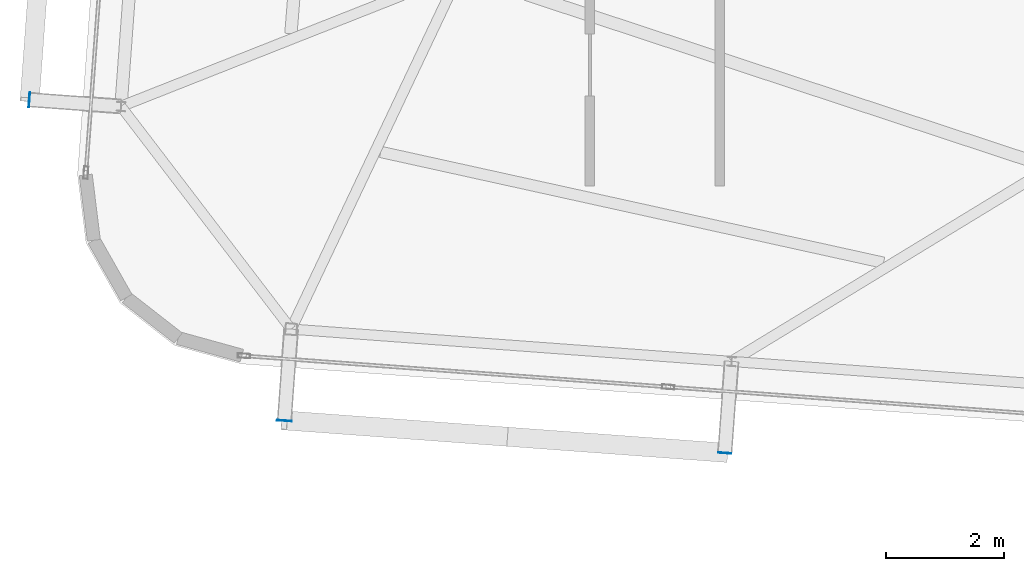
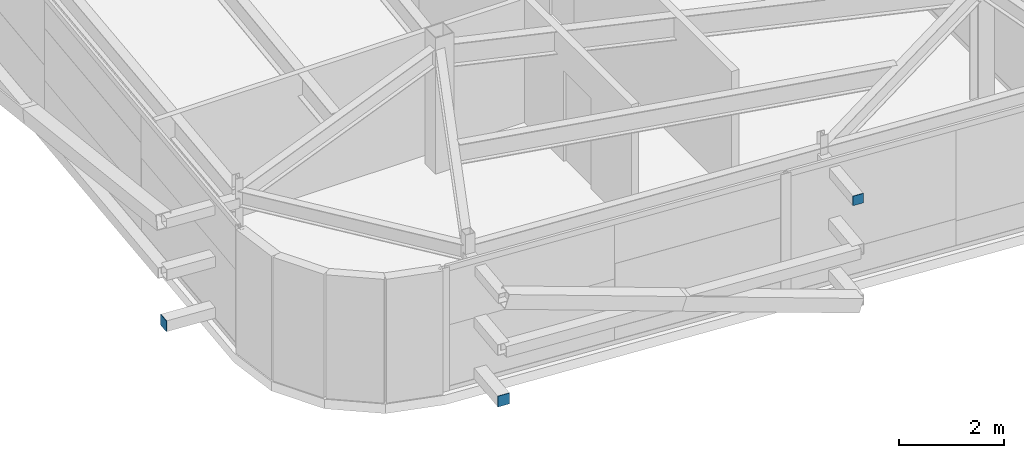
# One storey, part 29 of 40: 3 plates.
"""IFC4 building model written with IfcOpenShell, lengths in metres."""

import ifcopenshell
import ifcopenshell.guid

model = None  # the IFC model being written
_history = None  # IfcOwnerHistory: only IFC2X3 demands one
_inside = {}  # id of a spatial element -> (the spatial element, [elements in it])
_under = {}  # id of a project, library or spatial element -> (it, [spatial elements below it])
_declared = {}  # id of a project -> (the project, [libraries it declares])
_typed = {}  # id of a type object -> (the type object, [elements of that type])
_made_of = {}  # id of a material, layer set ... -> (it, [elements and type objects made of it])


def new_model(schema):
    """Start an empty IFC model of exactly this schema.

    Asked for "IFC4X3", IfcOpenShell would pick the latest addendum, in which some entities
    have other attributes; the version numbers below select the first issue.
    IFC2X3 requires an IfcOwnerHistory on every rooted entity: one is made here for all.
    """
    global model, _history
    if schema == "IFC4X3":
        model = ifcopenshell.file(schema_version=(4, 3, 0, 0))
    else:
        model = ifcopenshell.file(schema=schema)
    _inside.clear()
    _under.clear()
    _declared.clear()
    _typed.clear()
    _made_of.clear()
    _history = None
    if model.schema == "IFC2X3":
        org = make("IfcOrganization", Name="unknown")
        user = make(
            "IfcPersonAndOrganization",
            ThePerson=make("IfcPerson", FamilyName="unknown"),
            TheOrganization=org,
        )
        app = make(
            "IfcApplication",
            ApplicationDeveloper=org,
            Version="unknown",
            ApplicationFullName="unknown",
            ApplicationIdentifier="unknown",
        )
        _history = make(
            "IfcOwnerHistory",
            OwningUser=user,
            OwningApplication=app,
            ChangeAction="ADDED",
            CreationDate=0,
        )
    return model


def make(cls, **values):
    """One entity of the class cls with the attributes given. An attribute that is None is left unset."""
    return model.create_entity(
        cls, **{name: value for name, value in values.items() if value is not None}
    )


def rooted(cls, **values):
    """An entity with a GlobalId (a new one), such as an element, a storey or a relation."""
    return make(cls, GlobalId=ifcopenshell.guid.new(), OwnerHistory=_history, **values)


def si_unit(unit_type, name, prefix=None):
    """IfcSIUnit, for example si_unit("LENGTHUNIT", "METRE", prefix="MILLI")."""
    return make("IfcSIUnit", UnitType=unit_type, Prefix=prefix, Name=name)


def assignment(units):
    """IfcUnitAssignment: the units of a project."""
    return None if units is None else make("IfcUnitAssignment", Units=units)


def point(xyz):
    """IfcCartesianPoint."""
    return None if xyz is None else make("IfcCartesianPoint", Coordinates=xyz)


def direction(xyz):
    """IfcDirection."""
    return None if xyz is None else make("IfcDirection", DirectionRatios=xyz)


def frame(location, z_axis=None, x_axis=None):
    """IfcAxis2Placement3D, a coordinate frame: its origin and axes. An axis left out is left unset."""
    return make(
        "IfcAxis2Placement3D",
        Location=point(location),
        Axis=direction(z_axis),
        RefDirection=direction(x_axis),
    )


def frame_2d(location, x_axis=None):
    """IfcAxis2Placement2D, a coordinate frame in the plane: its origin and x axis."""
    return make(
        "IfcAxis2Placement2D", Location=point(location), RefDirection=direction(x_axis)
    )


def origin():
    """The frame at (0, 0, 0) with its axes left unset."""
    return frame((0.0, 0.0, 0.0))


def origin_2d():
    """The frame at (0, 0) in the plane with its x axis left unset."""
    return frame_2d((0.0, 0.0))


def place(relative_to, where):
    """IfcLocalPlacement: puts the frame where relative to a parent placement (None: the world)."""
    return make(
        "IfcLocalPlacement", PlacementRelTo=relative_to, RelativePlacement=where
    )


def context(
    kind, dimensions, precision=None, world=None, true_north=None, identifier=None
):
    """IfcGeometricRepresentationContext, for example the 3D "Model" context."""
    return make(
        "IfcGeometricRepresentationContext",
        ContextIdentifier=identifier,
        ContextType=kind,
        CoordinateSpaceDimension=dimensions,
        Precision=precision,
        WorldCoordinateSystem=world,
        TrueNorth=true_north,
    )


def subcontext(parent, identifier, kind, view, scale=None):
    """IfcGeometricRepresentationSubContext, for example "Body" below "Model"."""
    return make(
        "IfcGeometricRepresentationSubContext",
        ContextIdentifier=identifier,
        ContextType=kind,
        ParentContext=parent,
        TargetScale=scale,
        TargetView=view,
    )


def project(units=None, contexts=None):
    """IfcProject with its units and contexts."""
    return rooted(
        "IfcProject",
        Name="project",
        RepresentationContexts=contexts,
        UnitsInContext=assignment(units),
    )


def spatial(cls, under=None, at=None, **own):
    """A site, building, storey or space (cls), placed at a placement, below another one or the project."""
    s = rooted(cls, ObjectPlacement=at, **own)
    if under is not None:
        _under.setdefault(under.id(), (under, []))[1].append(s)
    return s


def profile(cls, at=None, kind="AREA", **sizes):
    """A parametric profile (cls). Its sizes go by their IFC names, for example OverallWidth=200.0."""
    return make(cls, ProfileType=kind, Position=at, **sizes)


def rectangle(**sizes):
    """IfcRectangleProfileDef."""
    return profile("IfcRectangleProfileDef", **sizes)


def extrude(swept, where, along, depth):
    """IfcExtrudedAreaSolid: the profile swept, set in the frame where, extruded along a direction by depth."""
    return make(
        "IfcExtrudedAreaSolid",
        SweptArea=swept,
        Position=where,
        ExtrudedDirection=direction(along),
        Depth=depth,
    )


def shape(context_of_items, identifier, shape_type, items):
    """IfcShapeRepresentation: the items that make up one representation, for example the "Body"."""
    return make(
        "IfcShapeRepresentation",
        ContextOfItems=context_of_items,
        RepresentationIdentifier=identifier,
        RepresentationType=shape_type,
        Items=items,
    )


def source(mapping_origin, context_of_items, identifier, shape_type, items):
    """IfcRepresentationMap: a shape defined once, which mapped items show again and again."""
    return make(
        "IfcRepresentationMap",
        MappingOrigin=mapping_origin,
        MappedRepresentation=shape(context_of_items, identifier, shape_type, items),
    )


def transform(
    local_origin,
    x_axis=None,
    y_axis=None,
    z_axis=None,
    scale=None,
    scale2=None,
    scale3=None,
    uniform=True,
):
    """IfcCartesianTransformationOperator3D, or its non-uniform kind. x_axis, y_axis, z_axis: its Axis1, 2, 3."""
    if uniform:
        return make(
            "IfcCartesianTransformationOperator3D",
            Axis1=direction(x_axis),
            Axis2=direction(y_axis),
            LocalOrigin=point(local_origin),
            Scale=scale,
            Axis3=direction(z_axis),
        )
    return make(
        "IfcCartesianTransformationOperator3DnonUniform",
        Axis1=direction(x_axis),
        Axis2=direction(y_axis),
        LocalOrigin=point(local_origin),
        Scale=scale,
        Axis3=direction(z_axis),
        Scale2=scale2,
        Scale3=scale3,
    )


def mapped(mapping_source, mapping_target):
    """IfcMappedItem: shows the shape of a source again, moved by a transform."""
    return make(
        "IfcMappedItem", MappingSource=mapping_source, MappingTarget=mapping_target
    )


def material(Name=None, Category=None):
    """IfcMaterial."""
    return make("IfcMaterial", Name=Name, Category=Category)


def layer(
    of_material, thickness, ventilated=None, Name=None, Category=None, Priority=None
):
    """IfcMaterialLayer: one layer of a wall or slab, of a material (None: an air gap)."""
    return make(
        "IfcMaterialLayer",
        Material=of_material,
        LayerThickness=thickness,
        IsVentilated=ventilated,
        Name=Name,
        Category=Category,
        Priority=Priority,
    )


def layer_set(layers, Name=None):
    """IfcMaterialLayerSet."""
    return make("IfcMaterialLayerSet", MaterialLayers=layers, LayerSetName=Name)


def made_of(thing, what):
    """Note that an element or type object is made of a material, layer set ...; save() writes the relation."""
    if what is not None:
        _made_of.setdefault(what.id(), (what, []))[1].append(thing)
    return thing


def type_object(cls, material=None, **own):
    """A type object (cls), such as IfcWallType, which elements share."""
    return made_of(rooted(cls, **own), material)


def element(
    cls,
    number,
    at=None,
    inside=None,
    cuts=None,
    type_object=None,
    material=None,
    context=None,
    identifier="Body",
    shape_type=None,
    held_by="IfcProductDefinitionShape",
    body=None,
    shapes=None,
    **own,
):
    """One element of the class cls, such as IfcWall. Its Tag is "e" and its number.

    at: its placement. inside: the storey or other place that contains it. cuts: it is an
    opening in that element (IfcRelVoidsElement). A single representation is given by context,
    identifier, shape_type and body (its items); several are given by shapes. held_by: the class
    of the entity that holds the representations. save() writes the other relations.
    """
    e = rooted(cls, Tag="e%d" % number, ObjectPlacement=at, **own)
    if body is not None:
        shapes = [shape(context, identifier, shape_type, body)]
    if shapes is not None:
        e.Representation = make(held_by, Representations=shapes)
    if inside is not None:
        _inside.setdefault(inside.id(), (inside, []))[1].append(e)
    if cuts is not None:
        rooted(
            "IfcRelVoidsElement", RelatingBuildingElement=cuts, RelatedOpeningElement=e
        )
    if type_object is not None:
        _typed.setdefault(type_object.id(), (type_object, []))[1].append(e)
    return made_of(e, material)


def aggregate(whole, parts):
    """IfcRelAggregates: a whole, such as a stair, and the parts it consists of."""
    return rooted("IfcRelAggregates", RelatingObject=whole, RelatedObjects=parts)


def save(model, path):
    """Write the relations noted so far, then the file.

    IfcRelAggregates (storeys below a building ...), IfcRelContainedInSpatialStructure (elements
    in a storey), IfcRelDefinesByType, IfcRelAssociatesMaterial and IfcRelDeclares: one each for
    every whole, place, type object, material and project.
    """
    for whole, parts in _under.values():
        aggregate(whole, parts)
    for where, things in _inside.values():
        rooted(
            "IfcRelContainedInSpatialStructure",
            RelatedElements=things,
            RelatingStructure=where,
        )
    for kind, things in _typed.values():
        rooted("IfcRelDefinesByType", RelatedObjects=things, RelatingType=kind)
    for what, things in _made_of.values():
        rooted("IfcRelAssociatesMaterial", RelatedObjects=things, RelatingMaterial=what)
    for by, libraries in _declared.values():
        rooted("IfcRelDeclares", RelatingContext=by, RelatedDefinitions=libraries)
    model.write(path)


model = new_model("IFC4")

# Units and contexts
model_context = context("Model", 3, precision=1e-05, world=origin(), true_north=direction((0.0, 1.0)))
body_context = subcontext(model_context, "Body", "Model", "MODEL_VIEW")
ifc_project = project(units=[si_unit("LENGTHUNIT", "METRE"), si_unit("AREAUNIT", "SQUARE_METRE"), si_unit("VOLUMEUNIT", "CUBIC_METRE"), si_unit("PLANEANGLEUNIT", "RADIAN"), si_unit("MASSUNIT", "GRAM", prefix="KILO")], contexts=[model_context])

# Site, building, storey
site_placement = place(None, origin())
site = spatial("IfcSite", under=ifc_project, at=site_placement, CompositionType="ELEMENT")
building_placement = place(site_placement, origin())
building = spatial("IfcBuilding", under=site, at=building_placement, Name="Taldren Reach Tower", CompositionType="ELEMENT")
storey_placement = place(building_placement, frame((0.0, 0.0, 233.449951171875)))
storey = spatial("IfcBuildingStorey", under=building, at=storey_placement, Name="L71", CompositionType="ELEMENT", Elevation=233.449951171875)

# Plates
ifc_material_1 = material(Name="Steel Gr 350 (C350L0)", Category="steel")
ifc_layer_1 = layer(ifc_material_1, 0.011962890625)
ifc_layer_set_1 = layer_set([ifc_layer_1], Name="Steel Gr 350 (C350L0)")
plate_type_1 = type_object("IfcPlateType", Name="PL-CAP-250", PredefinedType="SHEET", material=ifc_layer_set_1)
shared_shape_1 = source(origin(), body_context, "Body", "SweptSolid", [
    extrude(rectangle(XDim=0.25, YDim=0.011962890625, at=origin_2d()), origin(), (0.0, 0.0, 1.0), 0.25),
])
plate_1_placement = place(storey_placement, frame((15.026611328125, 4.908447265625, 0.094970703125), z_axis=(0.0, 0.0, 1.0), x_axis=(0.997314477224, -0.073238197128, 0.0)))
element("IfcPlate", 1, at=plate_1_placement, inside=storey, type_object=plate_type_1, Name="Tie strut end cap plate B5-S1 L71", PredefinedType="SHEET", context=body_context, shape_type="MappedRepresentation", body=[
    mapped(shared_shape_1, transform((0.0, 0.0, 0.0), scale=1.0)),
])
shared_shape_2 = source(origin(), body_context, "Body", "SweptSolid", [
    extrude(rectangle(XDim=0.011962890625, YDim=0.25, at=origin_2d()), origin(), (0.0, 0.0, 1.0), 0.25),
])
plate_2_placement = place(storey_placement, frame((10.707275390625, 10.345458984375, 0.094970703125), z_axis=(0.0, 0.0, 1.0), x_axis=(0.997314477224, -0.073238197128, 0.0)))
element("IfcPlate", 2, at=plate_2_placement, inside=storey, type_object=plate_type_1, Name="Tie strut end cap plate B5-W1 L71", PredefinedType="SHEET", context=body_context, shape_type="MappedRepresentation", body=[
    mapped(shared_shape_2, transform((0.0, 0.0, 0.0), scale=1.0)),
])
ifc_material_2 = material(Name="Steel Gr 450 (C450L0)", Category="steel")
ifc_layer_2 = layer(ifc_material_2, 0.011962890625)
ifc_layer_set_2 = layer_set([ifc_layer_2], Name="Steel Gr 450 (C450L0)")
plate_type_2 = type_object("IfcPlateType", Name="PL-CAP-220", PredefinedType="SHEET", material=ifc_layer_set_2)
shared_shape_3 = source(origin(), body_context, "Body", "SweptSolid", [
    extrude(rectangle(XDim=0.219970703125, YDim=0.011962890625, at=origin_2d()), origin(), (0.0, 0.0, 1.0), 0.219970703125),
])
plate_3_placement = place(storey_placement, frame((22.486572265625, 4.360595703125, 2.47998046875), z_axis=(0.0, 0.0, 1.0), x_axis=(0.997314477224, -0.073238197128, 0.0)))
element("IfcPlate", 3, at=plate_3_placement, inside=storey, type_object=plate_type_2, Name="Tie strut end cap plate B5-S2 L71", PredefinedType="SHEET", context=body_context, shape_type="MappedRepresentation", body=[
    mapped(shared_shape_3, transform((0.0, 0.0, 0.0), scale=1.0)),
])

save(model, "model.ifc")
